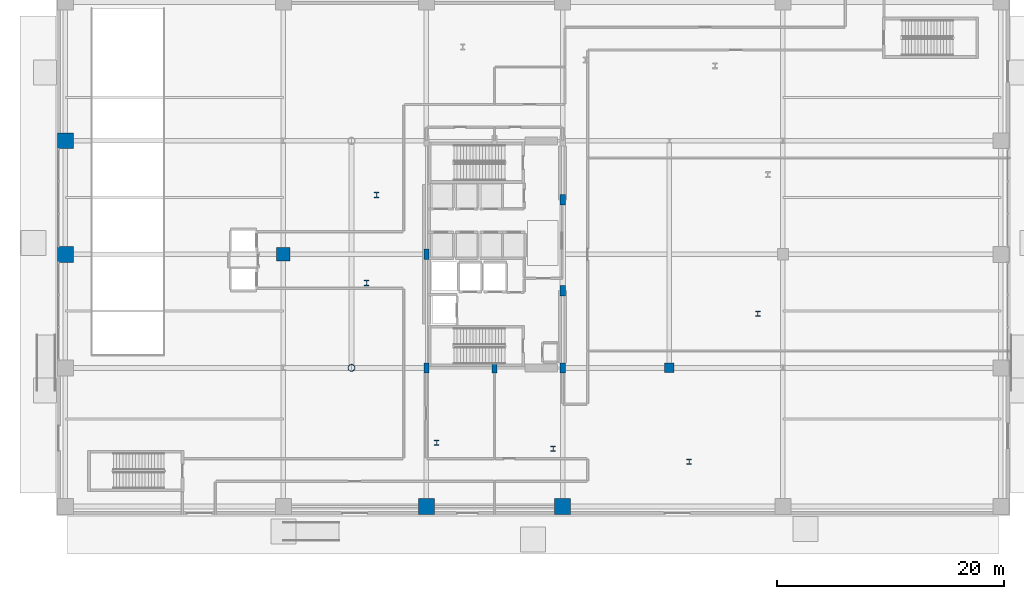
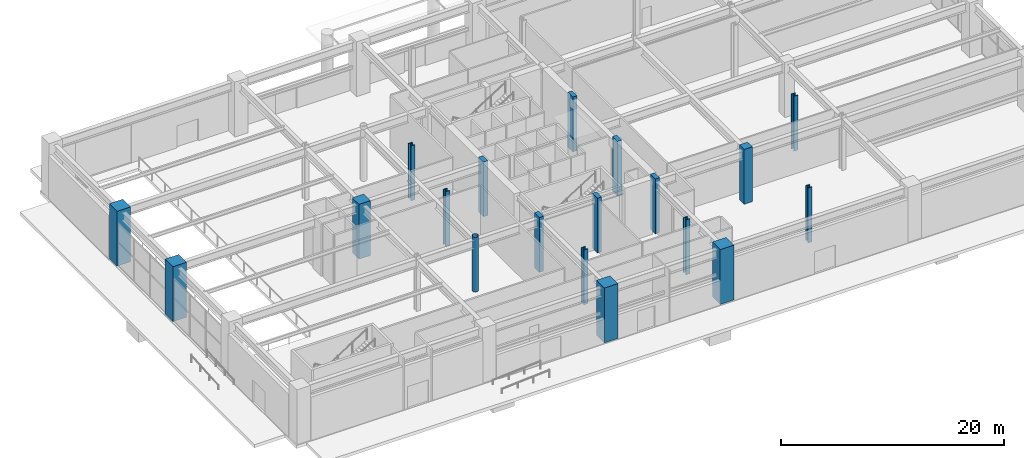
# One storey, part 2 of 31: 19 columns.
"""IFC4 building model written with IfcOpenShell, lengths in metres."""

import ifcopenshell
import ifcopenshell.guid

model = None  # the IFC model being written
_history = None  # IfcOwnerHistory: only IFC2X3 demands one
_inside = {}  # id of a spatial element -> (the spatial element, [elements in it])
_under = {}  # id of a project, library or spatial element -> (it, [spatial elements below it])
_declared = {}  # id of a project -> (the project, [libraries it declares])
_typed = {}  # id of a type object -> (the type object, [elements of that type])
_made_of = {}  # id of a material, layer set ... -> (it, [elements and type objects made of it])


def new_model(schema):
    """Start an empty IFC model of exactly this schema.

    Asked for "IFC4X3", IfcOpenShell would pick the latest addendum, in which some entities
    have other attributes; the version numbers below select the first issue.
    IFC2X3 requires an IfcOwnerHistory on every rooted entity: one is made here for all.
    """
    global model, _history
    if schema == "IFC4X3":
        model = ifcopenshell.file(schema_version=(4, 3, 0, 0))
    else:
        model = ifcopenshell.file(schema=schema)
    _inside.clear()
    _under.clear()
    _declared.clear()
    _typed.clear()
    _made_of.clear()
    _history = None
    if model.schema == "IFC2X3":
        org = make("IfcOrganization", Name="unknown")
        user = make(
            "IfcPersonAndOrganization",
            ThePerson=make("IfcPerson", FamilyName="unknown"),
            TheOrganization=org,
        )
        app = make(
            "IfcApplication",
            ApplicationDeveloper=org,
            Version="unknown",
            ApplicationFullName="unknown",
            ApplicationIdentifier="unknown",
        )
        _history = make(
            "IfcOwnerHistory",
            OwningUser=user,
            OwningApplication=app,
            ChangeAction="ADDED",
            CreationDate=0,
        )
    return model


def make(cls, **values):
    """One entity of the class cls with the attributes given. An attribute that is None is left unset."""
    return model.create_entity(
        cls, **{name: value for name, value in values.items() if value is not None}
    )


def rooted(cls, **values):
    """An entity with a GlobalId (a new one), such as an element, a storey or a relation."""
    return make(cls, GlobalId=ifcopenshell.guid.new(), OwnerHistory=_history, **values)


def si_unit(unit_type, name, prefix=None):
    """IfcSIUnit, for example si_unit("LENGTHUNIT", "METRE", prefix="MILLI")."""
    return make("IfcSIUnit", UnitType=unit_type, Prefix=prefix, Name=name)


def assignment(units):
    """IfcUnitAssignment: the units of a project."""
    return None if units is None else make("IfcUnitAssignment", Units=units)


def point(xyz):
    """IfcCartesianPoint."""
    return None if xyz is None else make("IfcCartesianPoint", Coordinates=xyz)


def direction(xyz):
    """IfcDirection."""
    return None if xyz is None else make("IfcDirection", DirectionRatios=xyz)


def frame(location, z_axis=None, x_axis=None):
    """IfcAxis2Placement3D, a coordinate frame: its origin and axes. An axis left out is left unset."""
    return make(
        "IfcAxis2Placement3D",
        Location=point(location),
        Axis=direction(z_axis),
        RefDirection=direction(x_axis),
    )


def frame_2d(location, x_axis=None):
    """IfcAxis2Placement2D, a coordinate frame in the plane: its origin and x axis."""
    return make(
        "IfcAxis2Placement2D", Location=point(location), RefDirection=direction(x_axis)
    )


def origin():
    """The frame at (0, 0, 0) with its axes left unset."""
    return frame((0.0, 0.0, 0.0))


def origin_2d():
    """The frame at (0, 0) in the plane with its x axis left unset."""
    return frame_2d((0.0, 0.0))


def place(relative_to, where):
    """IfcLocalPlacement: puts the frame where relative to a parent placement (None: the world)."""
    return make(
        "IfcLocalPlacement", PlacementRelTo=relative_to, RelativePlacement=where
    )


def context(
    kind, dimensions, precision=None, world=None, true_north=None, identifier=None
):
    """IfcGeometricRepresentationContext, for example the 3D "Model" context."""
    return make(
        "IfcGeometricRepresentationContext",
        ContextIdentifier=identifier,
        ContextType=kind,
        CoordinateSpaceDimension=dimensions,
        Precision=precision,
        WorldCoordinateSystem=world,
        TrueNorth=true_north,
    )


def subcontext(parent, identifier, kind, view, scale=None):
    """IfcGeometricRepresentationSubContext, for example "Body" below "Model"."""
    return make(
        "IfcGeometricRepresentationSubContext",
        ContextIdentifier=identifier,
        ContextType=kind,
        ParentContext=parent,
        TargetScale=scale,
        TargetView=view,
    )


def project(units=None, contexts=None):
    """IfcProject with its units and contexts."""
    return rooted(
        "IfcProject",
        Name="project",
        RepresentationContexts=contexts,
        UnitsInContext=assignment(units),
    )


def spatial(cls, under=None, at=None, **own):
    """A site, building, storey or space (cls), placed at a placement, below another one or the project."""
    s = rooted(cls, ObjectPlacement=at, **own)
    if under is not None:
        _under.setdefault(under.id(), (under, []))[1].append(s)
    return s


def profile(cls, at=None, kind="AREA", **sizes):
    """A parametric profile (cls). Its sizes go by their IFC names, for example OverallWidth=200.0."""
    return make(cls, ProfileType=kind, Position=at, **sizes)


def rectangle(**sizes):
    """IfcRectangleProfileDef."""
    return profile("IfcRectangleProfileDef", **sizes)


def hollow_circle(**sizes):
    """IfcCircleHollowProfileDef."""
    return profile("IfcCircleHollowProfileDef", **sizes)


def i_section(**sizes):
    """IfcIShapeProfileDef."""
    return profile("IfcIShapeProfileDef", **sizes)


def extrude(swept, where, along, depth):
    """IfcExtrudedAreaSolid: the profile swept, set in the frame where, extruded along a direction by depth."""
    return make(
        "IfcExtrudedAreaSolid",
        SweptArea=swept,
        Position=where,
        ExtrudedDirection=direction(along),
        Depth=depth,
    )


def shape(context_of_items, identifier, shape_type, items):
    """IfcShapeRepresentation: the items that make up one representation, for example the "Body"."""
    return make(
        "IfcShapeRepresentation",
        ContextOfItems=context_of_items,
        RepresentationIdentifier=identifier,
        RepresentationType=shape_type,
        Items=items,
    )


def material(Name=None, Category=None):
    """IfcMaterial."""
    return make("IfcMaterial", Name=Name, Category=Category)


def material_profile(
    of_material, cross_section, Name=None, Category=None, Priority=None
):
    """IfcMaterialProfile: a cross section and its material."""
    return make(
        "IfcMaterialProfile",
        Name=Name,
        Material=of_material,
        Profile=cross_section,
        Priority=Priority,
        Category=Category,
    )


def profile_set(profiles, Name=None, composite=None):
    """IfcMaterialProfileSet."""
    return make(
        "IfcMaterialProfileSet",
        Name=Name,
        MaterialProfiles=profiles,
        CompositeProfile=composite,
    )


def made_of(thing, what):
    """Note that an element or type object is made of a material, layer set ...; save() writes the relation."""
    if what is not None:
        _made_of.setdefault(what.id(), (what, []))[1].append(thing)
    return thing


def type_object(cls, material=None, **own):
    """A type object (cls), such as IfcWallType, which elements share."""
    return made_of(rooted(cls, **own), material)


def element(
    cls,
    number,
    at=None,
    inside=None,
    cuts=None,
    type_object=None,
    material=None,
    context=None,
    identifier="Body",
    shape_type=None,
    held_by="IfcProductDefinitionShape",
    body=None,
    shapes=None,
    **own,
):
    """One element of the class cls, such as IfcWall. Its Tag is "e" and its number.

    at: its placement. inside: the storey or other place that contains it. cuts: it is an
    opening in that element (IfcRelVoidsElement). A single representation is given by context,
    identifier, shape_type and body (its items); several are given by shapes. held_by: the class
    of the entity that holds the representations. save() writes the other relations.
    """
    e = rooted(cls, Tag="e%d" % number, ObjectPlacement=at, **own)
    if body is not None:
        shapes = [shape(context, identifier, shape_type, body)]
    if shapes is not None:
        e.Representation = make(held_by, Representations=shapes)
    if inside is not None:
        _inside.setdefault(inside.id(), (inside, []))[1].append(e)
    if cuts is not None:
        rooted(
            "IfcRelVoidsElement", RelatingBuildingElement=cuts, RelatedOpeningElement=e
        )
    if type_object is not None:
        _typed.setdefault(type_object.id(), (type_object, []))[1].append(e)
    return made_of(e, material)


def aggregate(whole, parts):
    """IfcRelAggregates: a whole, such as a stair, and the parts it consists of."""
    return rooted("IfcRelAggregates", RelatingObject=whole, RelatedObjects=parts)


def save(model, path):
    """Write the relations noted so far, then the file.

    IfcRelAggregates (storeys below a building ...), IfcRelContainedInSpatialStructure (elements
    in a storey), IfcRelDefinesByType, IfcRelAssociatesMaterial and IfcRelDeclares: one each for
    every whole, place, type object, material and project.
    """
    for whole, parts in _under.values():
        aggregate(whole, parts)
    for where, things in _inside.values():
        rooted(
            "IfcRelContainedInSpatialStructure",
            RelatedElements=things,
            RelatingStructure=where,
        )
    for kind, things in _typed.values():
        rooted("IfcRelDefinesByType", RelatedObjects=things, RelatingType=kind)
    for what, things in _made_of.values():
        rooted("IfcRelAssociatesMaterial", RelatedObjects=things, RelatingMaterial=what)
    for by, libraries in _declared.values():
        rooted("IfcRelDeclares", RelatingContext=by, RelatedDefinitions=libraries)
    model.write(path)


model = new_model("IFC4")

# Units and contexts
model_context = context("Model", 3, precision=1e-05, world=origin(), true_north=direction((0.0, 1.0)))
body_context = subcontext(model_context, "Body", "Model", "MODEL_VIEW")
ifc_project = project(units=[si_unit("LENGTHUNIT", "METRE"), si_unit("AREAUNIT", "SQUARE_METRE"), si_unit("VOLUMEUNIT", "CUBIC_METRE"), si_unit("PLANEANGLEUNIT", "RADIAN"), si_unit("MASSUNIT", "GRAM", prefix="KILO")], contexts=[model_context])

# Site, building, storey
site_placement = place(None, origin())
site = spatial("IfcSite", under=ifc_project, at=site_placement, CompositionType="ELEMENT")
building_placement = place(site_placement, origin())
building = spatial("IfcBuilding", under=site, at=building_placement, Name="Soratama Intermodal Tower", CompositionType="ELEMENT")
storey_placement = place(building_placement, origin())
storey = spatial("IfcBuildingStorey", under=building, at=storey_placement, Name="L00", CompositionType="ELEMENT", Elevation=0.0)

# Columns
ifc_material_1 = material(Name="Concrete f'c 56 MPa", Category="concrete")
ifc_material_profile_1 = material_profile(ifc_material_1, rectangle(XDim=1.39990234375, YDim=1.39990234375, at=origin_2d()), Name="RC1400X1400")
ifc_profile_set_1 = profile_set([ifc_material_profile_1], Name="Concrete f'c 56 MPa")
column_type_1 = type_object("IfcColumnType", Name="COL-POD-EXT-RC1400", PredefinedType="COLUMN", material=ifc_profile_set_1)
for number, where, z_axis, x_axis, name in (
    (1, (0.800048828125, 35.0, 0.0), (0.0, 0.0, 1.0), (1.0, 0.0, 0.0), "L00 Station Column P09"),
    (2, (0.800048828125, 25.0, 0.0), (0.0, 0.0, 1.0), (1.0, 0.0, 0.0), "L00 Station Column P17"),
    (3, (32.60009765625, 2.800048828125, 0.0), (0.0, 0.0, 1.0), (1.0, 0.0, 0.0), "L00 Station Column P21"),
    (4, (44.60009765625, 2.800048828125, 0.0), (0.0, 0.0, 1.0), (1.0, 0.0, 0.0), "L00 Station Column P22"),
):
    element("IfcColumn", number, at=place(storey_placement, frame(where, z_axis=z_axis, x_axis=x_axis)), inside=storey, type_object=column_type_1, Name=name, PredefinedType="COLUMN", context=body_context, shape_type="SweptSolid", body=[
        extrude(rectangle(XDim=1.39990234375, YDim=1.39990234375, at=origin_2d()), origin(), (0.0, 0.0, 1.0), 6.0),
    ])
ifc_material_2 = material(Name="Concrete f'c 56 MPa", Category="concrete")
ifc_material_profile_2 = material_profile(ifc_material_2, rectangle(XDim=1.199951171875, YDim=1.199951171875, at=origin_2d()), Name="RC1200X1200")
ifc_profile_set_2 = profile_set([ifc_material_profile_2], Name="Concrete f'c 56 MPa")
column_type_2 = type_object("IfcColumnType", Name="COL-POD-RC1200", PredefinedType="COLUMN", material=ifc_profile_set_2)
column_1_placement = place(storey_placement, frame((20.0, 25.0, 0.0), z_axis=(0.0, 0.0, 1.0), x_axis=(1.0, 0.0, 0.0)))
element("IfcColumn", 5, at=column_1_placement, inside=storey, type_object=column_type_2, Name="L00 Station Column P18", PredefinedType="COLUMN", context=body_context, shape_type="SweptSolid", body=[
    extrude(rectangle(XDim=1.199951171875, YDim=1.199951171875, at=origin_2d()), origin(), (0.0, 0.0, 1.0), 6.0),
])
ifc_material_3 = material(Name="Concrete f'c 56 MPa", Category="concrete")
ifc_material_profile_3 = material_profile(ifc_material_3, rectangle(XDim=0.85009765625, YDim=0.85009765625, at=origin_2d()), Name="RC850X850")
ifc_profile_set_3 = profile_set([ifc_material_profile_3], Name="Concrete f'c 56 MPa")
column_type_3 = type_object("IfcColumnType", Name="COL-POD-RC850", PredefinedType="COLUMN", material=ifc_profile_set_3)
column_2_placement = place(storey_placement, frame((54.0, 15.0, 0.0), z_axis=(0.0, 0.0, 1.0), x_axis=(1.0, 0.0, 0.0)))
element("IfcColumn", 6, at=column_2_placement, inside=storey, type_object=column_type_3, Name="L00 Station Column P25", PredefinedType="COLUMN", context=body_context, shape_type="SweptSolid", body=[
    extrude(rectangle(XDim=0.85009765625, YDim=0.85009765625, at=origin_2d()), origin(), (0.0, 0.0, 1.0), 6.0),
])
ifc_material_4 = material(Name="Structural steel ASTM A992 Grade 50", Category="steel")
ifc_material_profile_4 = material_profile(ifc_material_4, i_section(OverallWidth=0.431884765625, OverallDepth=0.498046875, WebThickness=0.0556640625, FlangeThickness=0.0888671875, FilletRadius=0.0380859375, at=origin_2d()), Name="W14X500")
ifc_profile_set_4 = profile_set([ifc_material_profile_4], Name="Structural steel ASTM A992 Grade 50")
column_type_4 = type_object("IfcColumnType", Name="COL-POD-W14X500", PredefinedType="COLUMN", material=ifc_profile_set_4)
for number, where, z_axis, x_axis, name in (
    (7, (28.208984375, 30.22705078125, 0.0), (0.0, 0.0, 1.0), (1.0, 0.0, 0.0), "L00 Station Column P33"),
    (8, (27.3310546875, 22.47509765625, 0.0), (0.0, 0.0, 1.0), (1.0, 0.0, 0.0), "L00 Station Column P34"),
    (9, (33.498046875, 8.405029296875, 0.0), (0.0, 0.0, 1.0), (1.0, 0.0, 0.0), "L00 Station Column P35"),
    (10, (43.759033203125, 7.883056640625, 0.0), (0.0, 0.0, 1.0), (1.0, 0.0, 0.0), "L00 Station Column P36"),
    (11, (55.73388671875, 6.735107421875, 0.0), (0.0, 0.0, 1.0), (1.0, 0.0, 0.0), "L00 Station Column P37"),
    (12, (61.791015625, 19.77294921875, 0.0), (0.0, 0.0, 1.0), (1.0, 0.0, 0.0), "L00 Station Column P38"),
):
    element("IfcColumn", number, at=place(storey_placement, frame(where, z_axis=z_axis, x_axis=x_axis)), inside=storey, type_object=column_type_4, Name=name, PredefinedType="COLUMN", context=body_context, shape_type="SweptSolid", body=[
        extrude(i_section(OverallWidth=0.431884765625, OverallDepth=0.498046875, WebThickness=0.0556640625, FlangeThickness=0.0888671875, FilletRadius=0.0380859375, at=origin_2d()), origin(), (0.0, 0.0, 1.0), 6.0),
    ])
ifc_material_5 = material(Name="Structural steel ASTM A500 Grade C", Category="steel")
ifc_material_profile_5 = material_profile(ifc_material_5, hollow_circle(Radius=0.304931640625, WallThickness=0.02197265625, at=origin_2d()), Name="CHS610X22")
ifc_profile_set_5 = profile_set([ifc_material_profile_5], Name="Structural steel ASTM A500 Grade C")
column_type_5 = type_object("IfcColumnType", Name="COL-POOL-CHS610", PredefinedType="COLUMN", material=ifc_profile_set_5)
column_3_placement = place(storey_placement, frame((26.0, 15.0, 0.0), z_axis=(0.0, 0.0, 1.0), x_axis=(1.0, 0.0, 0.0)))
element("IfcColumn", 13, at=column_3_placement, inside=storey, type_object=column_type_5, Name="L00 Station Column P27", PredefinedType="COLUMN", context=body_context, shape_type="SweptSolid", body=[
    extrude(hollow_circle(Radius=0.304931640625, WallThickness=0.02197265625, at=origin_2d()), origin(), (0.0, 0.0, 1.0), 6.0),
])
ifc_material_6 = material(Name="Concrete f'c 56 MPa", Category="concrete")
ifc_material_profile_6 = material_profile(ifc_material_6, rectangle(XDim=0.449951171875, YDim=0.89990234375, at=origin_2d()), Name="RC450X900")
ifc_profile_set_6 = profile_set([ifc_material_profile_6], Name="Concrete f'c 56 MPa")
column_type_6 = type_object("IfcColumnType", Name="PIL-CORE-450X900", PredefinedType="PILASTER", material=ifc_profile_set_6)
for number, where, z_axis, x_axis, name in (
    (14, (32.60009765625, 15.0, 0.0), (0.0, 0.0, 1.0), (1.0, 0.0, 0.0), "L00 Core Pilaster 1"),
    (15, (32.60009765625, 25.0, 0.0), (0.0, 0.0, 1.0), (1.0, 0.0, 0.0), "L00 Core Pilaster 2"),
    (16, (38.60009765625, 15.0, 0.0), (0.0, 0.0, 1.0), (1.0, 0.0, 0.0), "L00 Core Pilaster 4"),
    (17, (44.60009765625, 15.0, 0.0), (0.0, 0.0, 1.0), (1.0, 0.0, 0.0), "L00 Core Pilaster 6"),
    (18, (44.60009765625, 21.800048828125, 0.0), (0.0, 0.0, 1.0), (1.0, 0.0, 0.0), "L00 Core Pilaster 7"),
    (19, (44.60009765625, 29.800048828125, 0.0), (0.0, 0.0, 1.0), (1.0, 0.0, 0.0), "L00 Core Pilaster 8"),
):
    element("IfcColumn", number, at=place(storey_placement, frame(where, z_axis=z_axis, x_axis=x_axis)), inside=storey, type_object=column_type_6, Name=name, PredefinedType="PILASTER", context=body_context, shape_type="SweptSolid", body=[
        extrude(rectangle(XDim=0.449951171875, YDim=0.89990234375, at=origin_2d()), origin(), (0.0, 0.0, 1.0), 6.0),
    ])

save(model, "model.ifc")
